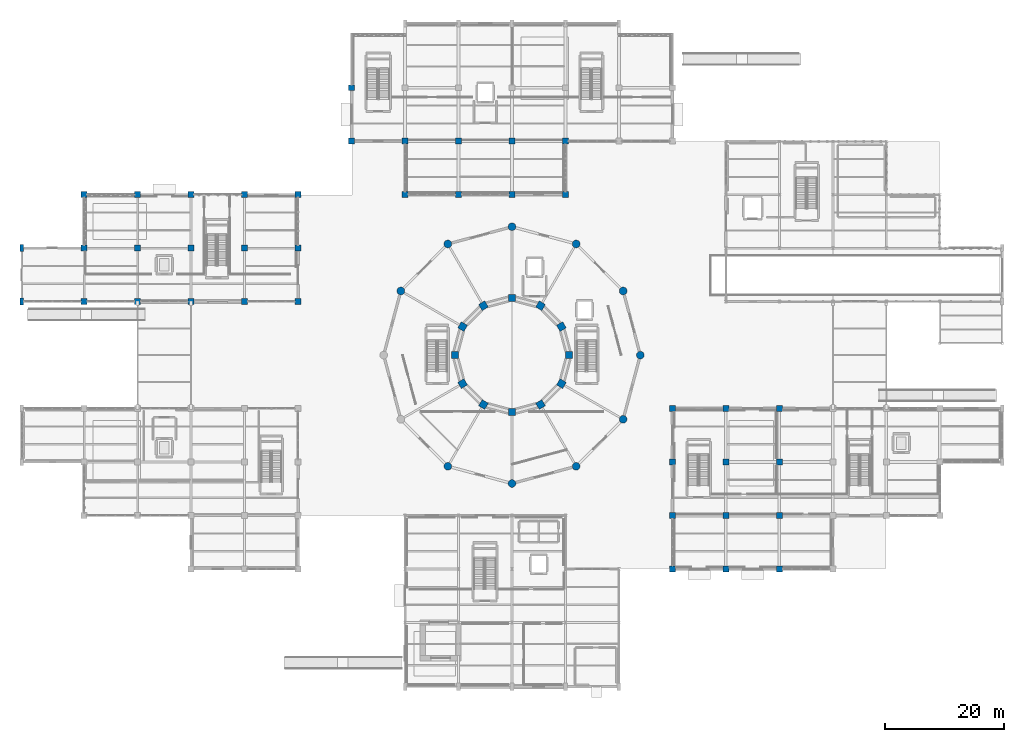
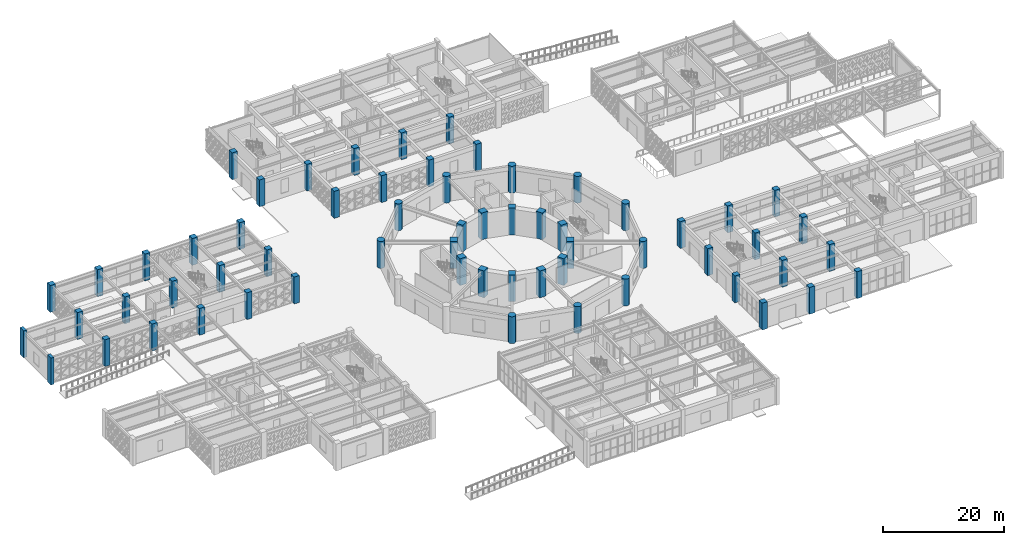
# One storey, part 3 of 140: 61 columns.
"""IFC4 building model written with IfcOpenShell, lengths in metres."""

from ifc_helpers import new_model, si_unit, direction, frame, origin, origin_2d, place, context, subcontext, project, spatial, rectangle, circle, extrude, material, material_profile, profile_set, type_object, element, save


model = new_model("IFC4")

# Units and contexts
model_context = context("Model", 3, precision=1e-05, world=origin(), true_north=direction((0.0, 1.0)))
body_context = subcontext(model_context, "Body", "Model", "MODEL_VIEW")
ifc_project = project(units=[si_unit("LENGTHUNIT", "METRE"), si_unit("AREAUNIT", "SQUARE_METRE"), si_unit("VOLUMEUNIT", "CUBIC_METRE"), si_unit("PLANEANGLEUNIT", "RADIAN"), si_unit("MASSUNIT", "GRAM", prefix="KILO")], contexts=[model_context])

# Site, building, storey
site_placement = place(None, origin())
site = spatial("IfcSite", under=ifc_project, at=site_placement, CompositionType="ELEMENT")
building_placement = place(site_placement, origin())
building = spatial("IfcBuilding", under=site, at=building_placement, Name="Haizhuo Lancet Aquarium", CompositionType="ELEMENT")
storey_placement = place(building_placement, origin())
storey = spatial("IfcBuildingStorey", under=building, at=storey_placement, Name="L00", CompositionType="ELEMENT", Elevation=0.0)

# Columns
ifc_material_1 = material(Name="Concrete C50/60", Category="concrete")
ifc_material_profile_1 = material_profile(ifc_material_1, circle(Radius=0.64990234375, at=origin_2d()), Name="RC-DC 1300")
ifc_profile_set_1 = profile_set([ifc_material_profile_1], Name="Concrete C50/60")
column_type_1 = type_object("IfcColumnType", Name="COL-DC-1300", PredefinedType="COLUMN", material=ifc_profile_set_1)
for number, where, z_axis, x_axis, name in (
    (1, (21.60009765625, 0.0, 0.0), (0.0, 0.0, 1.0), (1.0, 0.0, 0.0), "L00 column V1-COL-001"),
    (2, (18.7060546875, 10.800048828125, 0.0), (0.0, 0.0, 1.0), (0.866025403784, 0.5, 0.0), "L00 column V1-COL-002"),
    (3, (10.800048828125, 18.7060546875, 0.0), (0.0, 0.0, 1.0), (0.5, 0.866025403784, 0.0), "L00 column V1-COL-003"),
    (4, (0.0, 21.60009765625, 0.0), (0.0, 0.0, 1.0), (0.0, 1.0, 0.0), "L00 column V1-COL-004"),
    (5, (-10.800048828125, 18.7060546875, 0.0), (0.0, 0.0, 1.0), (-0.5, 0.866025403784, 0.0), "L00 column V1-COL-005"),
    (6, (-18.7060546875, 10.800048828125, 0.0), (0.0, 0.0, 1.0), (-0.866025403784, 0.5, 0.0), "L00 column V1-COL-006"),
    (7, (-10.800048828125, -18.7060546875, 0.0), (0.0, 0.0, 1.0), (-0.5, -0.866025403784, 0.0), "L00 column V1-COL-009"),
    (8, (0.0, -21.60009765625, 0.0), (0.0, 0.0, 1.0), (0.0, -1.0, 0.0), "L00 column V1-COL-010"),
    (9, (10.800048828125, -18.7060546875, 0.0), (0.0, 0.0, 1.0), (0.5, -0.866025403784, 0.0), "L00 column V1-COL-011"),
    (10, (18.7060546875, -10.800048828125, 0.0), (0.0, 0.0, 1.0), (0.866025403784, -0.5, 0.0), "L00 column V1-COL-012"),
):
    element("IfcColumn", number, at=place(storey_placement, frame(where, z_axis=z_axis, x_axis=x_axis)), inside=storey, type_object=column_type_1, Name=name, PredefinedType="COLUMN", context=body_context, shape_type="SweptSolid", body=[
        extrude(circle(Radius=0.64990234375, at=origin_2d()), origin(), (0.0, 0.0, 1.0), 5.39990234375),
    ])
ifc_material_profile_2 = material_profile(ifc_material_1, rectangle(XDim=1.0, YDim=1.0, at=origin_2d()), Name="RC-COL 1000x1000")
ifc_profile_set_2 = profile_set([ifc_material_profile_2], Name="Concrete C50/60")
column_type_2 = type_object("IfcColumnType", Name="COL-RC-1000", PredefinedType="COLUMN", material=ifc_profile_set_2)
for number, where, z_axis, x_axis, name in (
    (11, (-72.0, 9.0, 0.0), (0.0, 0.0, 1.0), (1.0, 0.0, 0.0), "L00 column V2-COL-027"),
    (12, (-72.0, 18.0, 0.0), (0.0, 0.0, 1.0), (1.0, 0.0, 0.0), "L00 column V2-COL-028"),
    (13, (-72.0, 27.0, 0.0), (0.0, 0.0, 1.0), (1.0, 0.0, 0.0), "L00 column V2-COL-029"),
    (14, (-63.0, 9.0, 0.0), (0.0, 0.0, 1.0), (1.0, 0.0, 0.0), "L00 column V2-COL-030"),
    (15, (-63.0, 18.0, 0.0), (0.0, 0.0, 1.0), (1.0, 0.0, 0.0), "L00 column V2-COL-031"),
    (16, (-63.0, 27.0, 0.0), (0.0, 0.0, 1.0), (1.0, 0.0, 0.0), "L00 column V2-COL-032"),
    (17, (-54.0, 9.0, 0.0), (0.0, 0.0, 1.0), (1.0, 0.0, 0.0), "L00 column V2-COL-033"),
    (18, (-54.0, 18.0, 0.0), (0.0, 0.0, 1.0), (1.0, 0.0, 0.0), "L00 column V2-COL-034"),
    (19, (-54.0, 27.0, 0.0), (0.0, 0.0, 1.0), (1.0, 0.0, 0.0), "L00 column V2-COL-035"),
    (20, (-45.0, 9.0, 0.0), (0.0, 0.0, 1.0), (1.0, 0.0, 0.0), "L00 column V2-COL-036"),
    (21, (-45.0, 18.0, 0.0), (0.0, 0.0, 1.0), (1.0, 0.0, 0.0), "L00 column V2-COL-037"),
    (22, (-45.0, 27.0, 0.0), (0.0, 0.0, 1.0), (1.0, 0.0, 0.0), "L00 column V2-COL-038"),
    (23, (-36.0, 9.0, 0.0), (0.0, 0.0, 1.0), (1.0, 0.0, 0.0), "L00 column V2-COL-039"),
    (24, (-36.0, 18.0, 0.0), (0.0, 0.0, 1.0), (1.0, 0.0, 0.0), "L00 column V2-COL-040"),
    (25, (-36.0, 27.0, 0.0), (0.0, 0.0, 1.0), (1.0, 0.0, 0.0), "L00 column V2-COL-041"),
    (26, (27.0, -36.0, 0.0), (0.0, 0.0, 1.0), (1.0, 0.0, 0.0), "L00 column V3-COL-042"),
    (27, (27.0, -27.0, 0.0), (0.0, 0.0, 1.0), (1.0, 0.0, 0.0), "L00 column V3-COL-043"),
    (28, (27.0, -18.0, 0.0), (0.0, 0.0, 1.0), (1.0, 0.0, 0.0), "L00 column V3-COL-044"),
    (29, (27.0, -9.0, 0.0), (0.0, 0.0, 1.0), (1.0, 0.0, 0.0), "L00 column V3-COL-045"),
    (30, (36.0, -36.0, 0.0), (0.0, 0.0, 1.0), (1.0, 0.0, 0.0), "L00 column V3-COL-046"),
    (31, (36.0, -27.0, 0.0), (0.0, 0.0, 1.0), (1.0, 0.0, 0.0), "L00 column V3-COL-047"),
    (32, (36.0, -18.0, 0.0), (0.0, 0.0, 1.0), (1.0, 0.0, 0.0), "L00 column V3-COL-048"),
    (33, (36.0, -9.0, 0.0), (0.0, 0.0, 1.0), (1.0, 0.0, 0.0), "L00 column V3-COL-049"),
    (34, (45.0, -36.0, 0.0), (0.0, 0.0, 1.0), (1.0, 0.0, 0.0), "L00 column V3-COL-050"),
    (35, (45.0, -27.0, 0.0), (0.0, 0.0, 1.0), (1.0, 0.0, 0.0), "L00 column V3-COL-051"),
    (36, (45.0, -18.0, 0.0), (0.0, 0.0, 1.0), (1.0, 0.0, 0.0), "L00 column V3-COL-052"),
    (37, (45.0, -9.0, 0.0), (0.0, 0.0, 1.0), (1.0, 0.0, 0.0), "L00 column V3-COL-053"),
    (38, (-27.0, 36.0, 0.0), (0.0, 0.0, 1.0), (1.0, 0.0, 0.0), "L00 column V5-COL-085"),
    (39, (-27.0, 45.0, 0.0), (0.0, 0.0, 1.0), (1.0, 0.0, 0.0), "L00 column V5-COL-086"),
    (40, (-18.0, 27.0, 0.0), (0.0, 0.0, 1.0), (1.0, 0.0, 0.0), "L00 column V5-COL-087"),
    (41, (-18.0, 36.0, 0.0), (0.0, 0.0, 1.0), (1.0, 0.0, 0.0), "L00 column V5-COL-088"),
    (42, (-9.0, 27.0, 0.0), (0.0, 0.0, 1.0), (1.0, 0.0, 0.0), "L00 column V5-COL-091"),
    (43, (-9.0, 36.0, 0.0), (0.0, 0.0, 1.0), (1.0, 0.0, 0.0), "L00 column V5-COL-092"),
    (44, (0.0, 27.0, 0.0), (0.0, 0.0, 1.0), (1.0, 0.0, 0.0), "L00 column V5-COL-095"),
    (45, (0.0, 36.0, 0.0), (0.0, 0.0, 1.0), (1.0, 0.0, 0.0), "L00 column V5-COL-096"),
    (46, (9.0, 27.0, 0.0), (0.0, 0.0, 1.0), (1.0, 0.0, 0.0), "L00 column V5-COL-099"),
    (47, (9.0, 36.0, 0.0), (0.0, 0.0, 1.0), (1.0, 0.0, 0.0), "L00 column V5-COL-100"),
):
    element("IfcColumn", number, at=place(storey_placement, frame(where, z_axis=z_axis, x_axis=x_axis)), inside=storey, type_object=column_type_2, Name=name, PredefinedType="COLUMN", context=body_context, shape_type="SweptSolid", body=[
        extrude(rectangle(XDim=1.0, YDim=1.0, at=origin_2d()), origin(), (0.0, 0.0, 1.0), 5.39990234375),
    ])
ifc_material_profile_3 = material_profile(ifc_material_1, rectangle(XDim=1.199951171875, YDim=1.199951171875, at=origin_2d()), Name="RC-COL 1200x1200")
ifc_profile_set_3 = profile_set([ifc_material_profile_3], Name="Concrete C50/60")
column_type_3 = type_object("IfcColumnType", Name="COL-TC-1200", PredefinedType="COLUMN", material=ifc_profile_set_3)
for number, where, z_axis, x_axis, name in (
    (48, (9.60009765625, 0.0, 0.0), (0.0, 0.0, 1.0), (1.0, 0.0, 0.0), "L00 column V1-COL-013"),
    (49, (8.31396484375, 4.800048828125, 0.0), (0.0, 0.0, 1.0), (0.866025403784, 0.5, 0.0), "L00 column V1-COL-014"),
    (50, (4.800048828125, 8.31396484375, 0.0), (0.0, 0.0, 1.0), (0.5, 0.866025403784, 0.0), "L00 column V1-COL-015"),
    (51, (0.0, 9.60009765625, 0.0), (0.0, 0.0, 1.0), (0.0, 1.0, 0.0), "L00 column V1-COL-016"),
    (52, (-4.800048828125, 8.31396484375, 0.0), (0.0, 0.0, 1.0), (-0.5, 0.866025403784, 0.0), "L00 column V1-COL-017"),
    (53, (-8.31396484375, 4.800048828125, 0.0), (0.0, 0.0, 1.0), (-0.866025403784, 0.5, 0.0), "L00 column V1-COL-018"),
    (54, (-9.60009765625, 0.0, 0.0), (0.0, 0.0, 1.0), (-1.0, 0.0, 0.0), "L00 column V1-COL-019"),
    (55, (-8.31396484375, -4.800048828125, 0.0), (0.0, 0.0, 1.0), (-0.866025403784, -0.5, 0.0), "L00 column V1-COL-020"),
    (56, (-4.800048828125, -8.31396484375, 0.0), (0.0, 0.0, 1.0), (-0.5, -0.866025403784, 0.0), "L00 column V1-COL-021"),
    (57, (0.0, -9.60009765625, 0.0), (0.0, 0.0, 1.0), (0.0, -1.0, 0.0), "L00 column V1-COL-022"),
    (58, (4.800048828125, -8.31396484375, 0.0), (0.0, 0.0, 1.0), (0.5, -0.866025403784, 0.0), "L00 column V1-COL-023"),
    (59, (8.31396484375, -4.800048828125, 0.0), (0.0, 0.0, 1.0), (0.866025403784, -0.5, 0.0), "L00 column V1-COL-024"),
):
    element("IfcColumn", number, at=place(storey_placement, frame(where, z_axis=z_axis, x_axis=x_axis)), inside=storey, type_object=column_type_3, Name=name, PredefinedType="COLUMN", context=body_context, shape_type="SweptSolid", body=[
        extrude(rectangle(XDim=1.199951171875, YDim=1.199951171875, at=origin_2d()), origin(), (0.0, 0.0, 1.0), 5.39990234375),
    ])
ifc_material_2 = material(Name="Concrete C45/55", Category="concrete")
ifc_material_profile_4 = material_profile(ifc_material_2, rectangle(XDim=0.60009765625, YDim=1.199951171875, at=origin_2d()), Name="RC-PIL 600x1200")
ifc_profile_set_4 = profile_set([ifc_material_profile_4], Name="Concrete C45/55")
column_type_4 = type_object("IfcColumnType", Name="PIL-RC-600x1200", PredefinedType="PILASTER", material=ifc_profile_set_4)
for number, where, z_axis, x_axis, name in (
    (60, (-82.5, 9.0, 0.0), (0.0, 0.0, 1.0), (1.0, 0.0, 0.0), "L00 column V2-COL-025"),
    (61, (-82.5, 18.0, 0.0), (0.0, 0.0, 1.0), (1.0, 0.0, 0.0), "L00 column V2-COL-026"),
):
    element("IfcColumn", number, at=place(storey_placement, frame(where, z_axis=z_axis, x_axis=x_axis)), inside=storey, type_object=column_type_4, Name=name, PredefinedType="PILASTER", context=body_context, shape_type="SweptSolid", body=[
        extrude(rectangle(XDim=0.60009765625, YDim=1.199951171875, at=origin_2d()), origin(), (0.0, 0.0, 1.0), 5.39990234375),
    ])

save(model, "model.ifc")
